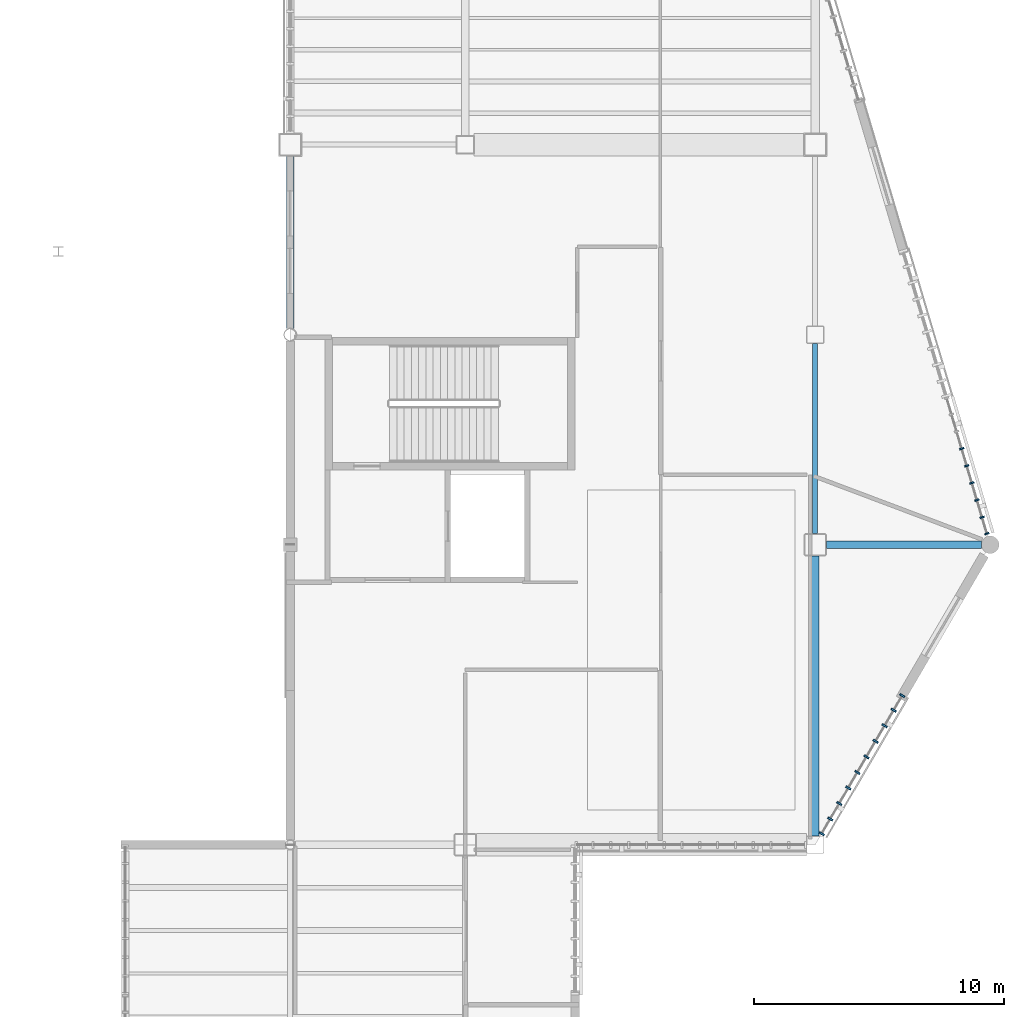
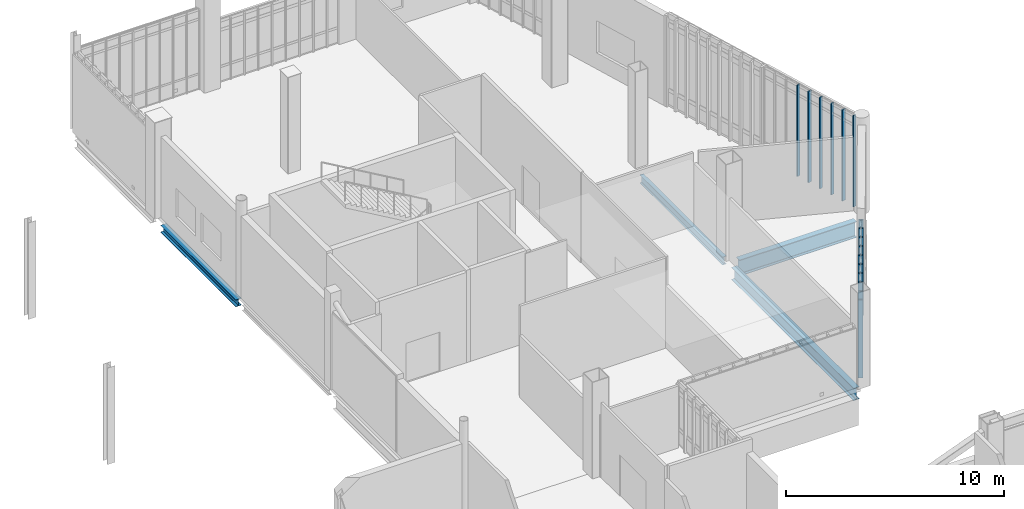
# One storey, part 41 of 127: 16 members, 4 beams, 2 elements without a shape of their own.
"""IFC4 building model written with IfcOpenShell, lengths in metres."""

from ifc_helpers import new_model, si_unit, direction, frame, origin, origin_2d, place, context, subcontext, project, spatial, rectangle, i_section, extrude, material, material_profile, profile_set, type_object, element, aggregate, save


model = new_model("IFC4")

# Units and contexts
model_context = context("Model", 3, precision=1e-05, world=origin(), true_north=direction((0.0, 1.0)))
body_context = subcontext(model_context, "Body", "Model", "MODEL_VIEW")
ifc_project = project(units=[si_unit("LENGTHUNIT", "METRE"), si_unit("AREAUNIT", "SQUARE_METRE"), si_unit("VOLUMEUNIT", "CUBIC_METRE"), si_unit("PLANEANGLEUNIT", "RADIAN"), si_unit("MASSUNIT", "GRAM", prefix="KILO")], contexts=[model_context])

# Site, building, storey
site_placement = place(None, origin())
site = spatial("IfcSite", under=ifc_project, at=site_placement, CompositionType="ELEMENT")
building_placement = place(site_placement, origin())
building = spatial("IfcBuilding", under=site, at=building_placement, Name="Larkvane Passage Sports Hall", CompositionType="ELEMENT")
storey_placement = place(building_placement, frame((0.0, 0.0, 5.39990234375)))
storey = spatial("IfcBuildingStorey", under=building, at=storey_placement, Name="L01", CompositionType="ELEMENT", Elevation=5.39990234375)

# Beams
ifc_material_1 = material(Name="Steel S355JR", Category="steel")
ifc_material_profile_1 = material_profile(ifc_material_1, i_section(OverallWidth=0.300048828125, OverallDepth=0.389892578125, WebThickness=0.010009765625, FlangeThickness=0.01611328125, FilletRadius=0.01806640625, at=origin_2d()), Name="H-390x300x10x16")
ifc_profile_set_1 = profile_set([ifc_material_profile_1], Name="Steel S355JR")
beam_type_1 = type_object("IfcBeamType", Name="BM-STL-H390", PredefinedType="BEAM", material=ifc_profile_set_1)
beam_1_placement = place(storey_placement, frame((124.60009765625, 84.25390625, -0.614990234375), z_axis=(0.0, 1.0, 0.0), x_axis=(-1.0, 0.0, 0.0)))
element("IfcBeam", 1, at=beam_1_placement, inside=storey, type_object=beam_type_1, Name="Girder BM5-Y-L01-17-0496", PredefinedType="BEAM", context=body_context, shape_type="SweptSolid", body=[
    extrude(i_section(OverallWidth=0.300048828125, OverallDepth=0.389892578125, WebThickness=0.010009765625, FlangeThickness=0.01611328125, FilletRadius=0.01806640625, at=origin_2d()), origin(), (0.0, 0.0, 1.0), 6.89599609375),
])
ifc_material_2 = material(Name="Steel S460N", Category="steel")
ifc_material_profile_2 = material_profile(ifc_material_2, i_section(OverallWidth=0.300048828125, OverallDepth=0.69189453125, WebThickness=0.012939453125, FlangeThickness=0.02001953125, FilletRadius=0.02197265625, at=origin_2d()), Name="H-692x300x13x20")
ifc_profile_set_2 = profile_set([ifc_material_profile_2], Name="Steel S460N")
beam_type_2 = type_object("IfcBeamType", Name="BM-STL-H692", PredefinedType="BEAM", material=ifc_profile_set_2)
beam_2_placement = place(storey_placement, frame((145.60009765625, 63.949951171875, -0.765869140625), z_axis=(0.0, 1.0, 0.0), x_axis=(-1.0, 0.0, 0.0)))
element("IfcBeam", 2, at=beam_2_placement, inside=storey, type_object=beam_type_2, Name="Girder BM5-Y-L01-19-0506", PredefinedType="BEAM", context=body_context, shape_type="SweptSolid", body=[
    extrude(i_section(OverallWidth=0.300048828125, OverallDepth=0.69189453125, WebThickness=0.012939453125, FlangeThickness=0.02001953125, FilletRadius=0.02197265625, at=origin_2d()), origin(), (0.0, 0.0, 1.0), 11.199951171875),
])
ifc_material_profile_3 = material_profile(ifc_material_2, i_section(OverallWidth=0.300048828125, OverallDepth=0.89990234375, WebThickness=0.01611328125, FlangeThickness=0.028076171875, FilletRadius=0.02197265625, at=origin_2d()), Name="H-900x300x16x28")
ifc_profile_set_3 = profile_set([ifc_material_profile_3], Name="Steel S460N")
beam_type_3 = type_object("IfcBeamType", Name="BM-STL-H900", PredefinedType="BEAM", material=ifc_profile_set_3)
beam_3_placement = place(storey_placement, frame((146.050048828125, 75.60009765625, -0.869873046875), z_axis=(1.0, 0.0, 0.0), x_axis=(0.0, 1.0, 0.0)))
element("IfcBeam", 3, at=beam_3_placement, inside=storey, type_object=beam_type_3, Name="Girder BM5-X-L01-J-0429", PredefinedType="BEAM", context=body_context, shape_type="SweptSolid", body=[
    extrude(i_section(OverallWidth=0.300048828125, OverallDepth=0.89990234375, WebThickness=0.01611328125, FlangeThickness=0.028076171875, FilletRadius=0.02197265625, at=origin_2d()), origin(), (0.0, 0.0, 1.0), 6.199951171875),
])

# Curtain wall, members
ifc_material_3 = material(Name="Thermally broken aluminium and low-E glazing", Category="aluminium")
curtain_wall_type_1 = type_object("IfcCurtainWallType", Name="CW-UNIT-COURT", PredefinedType="USERDEFINED", material=ifc_material_3)
curtain_wall_1_placement = place(storey_placement, origin())
curtain_wall_1 = element("IfcCurtainWall", 4, at=curtain_wall_1_placement, inside=storey, type_object=curtain_wall_type_1, Name="Curtain wall CW5-L01-056", ObjectType="UNITISED CURTAIN WALL", PredefinedType="USERDEFINED")
ifc_material_4 = material(Name="Anodised aluminium 6063-T6", Category="aluminium")
ifc_material_profile_4 = material_profile(ifc_material_4, rectangle(XDim=0.06494140625, YDim=0.179931640625, at=origin_2d()), Name="ALU-MUL-65x180")
ifc_profile_set_4 = profile_set([ifc_material_profile_4], Name="Anodised aluminium 6063-T6")
member_type_1 = type_object("IfcMemberType", Name="CW-MUL-65x180", PredefinedType="MULLION", material=ifc_profile_set_4)
member_1_placement = place(storey_placement, frame((151.460205078125, 79.4423828125, 0.0), z_axis=(0.0, 0.0, 1.0), x_axis=(0.28436317806, -0.958716633299, 0.0)))
member_1 = element("IfcMember", 5, at=member_1_placement, type_object=member_type_1, Name="CW-01 mullion 4", PredefinedType="MULLION", context=body_context, shape_type="SweptSolid", body=[
    extrude(rectangle(XDim=0.06494140625, YDim=0.179931640625, at=origin_2d()), origin(), (0.0, 0.0, 1.0), 5.10009765625),
])
member_2_placement = place(storey_placement, frame((151.663818359375, 78.756591796875, 0.0), z_axis=(0.0, 0.0, 1.0), x_axis=(0.28436317806, -0.958716633299, 0.0)))
member_2 = element("IfcMember", 6, at=member_2_placement, type_object=member_type_1, Name="CW-01 mullion 5", PredefinedType="MULLION", context=body_context, shape_type="SweptSolid", body=[
    extrude(rectangle(XDim=0.06494140625, YDim=0.179931640625, at=origin_2d()), origin(), (0.0, 0.0, 1.0), 5.10009765625),
])
member_3_placement = place(storey_placement, frame((151.8671875, 78.07080078125, 0.0), z_axis=(0.0, 0.0, 1.0), x_axis=(0.28436317806, -0.958716633299, 0.0)))
member_3 = element("IfcMember", 7, at=member_3_placement, type_object=member_type_1, Name="CW-01 mullion 6", PredefinedType="MULLION", context=body_context, shape_type="SweptSolid", body=[
    extrude(rectangle(XDim=0.06494140625, YDim=0.179931640625, at=origin_2d()), origin(), (0.0, 0.0, 1.0), 5.10009765625),
])
member_4_placement = place(storey_placement, frame((152.070556640625, 77.385009765625, 0.0), z_axis=(0.0, 0.0, 1.0), x_axis=(0.28436317806, -0.958716633299, 0.0)))
member_4 = element("IfcMember", 8, at=member_4_placement, type_object=member_type_1, Name="CW-01 mullion 7", PredefinedType="MULLION", context=body_context, shape_type="SweptSolid", body=[
    extrude(rectangle(XDim=0.06494140625, YDim=0.179931640625, at=origin_2d()), origin(), (0.0, 0.0, 1.0), 5.10009765625),
])
member_5_placement = place(storey_placement, frame((152.27392578125, 76.69921875, 0.0), z_axis=(0.0, 0.0, 1.0), x_axis=(0.28436317806, -0.958716633299, 0.0)))
member_5 = element("IfcMember", 9, at=member_5_placement, type_object=member_type_1, Name="CW-01 mullion 8", PredefinedType="MULLION", context=body_context, shape_type="SweptSolid", body=[
    extrude(rectangle(XDim=0.06494140625, YDim=0.179931640625, at=origin_2d()), origin(), (0.0, 0.0, 1.0), 5.10009765625),
])
member_6_placement = place(storey_placement, frame((152.46826171875, 76.04443359375, 0.0), z_axis=(0.0, 0.0, 1.0), x_axis=(0.28436317806, -0.958716633299, 0.0)))
member_6 = element("IfcMember", 10, at=member_6_placement, type_object=member_type_1, Name="CW-01 mullion 9", PredefinedType="MULLION", context=body_context, shape_type="SweptSolid", body=[
    extrude(rectangle(XDim=0.06494140625, YDim=0.179931640625, at=origin_2d()), origin(), (0.0, 0.0, 1.0), 5.10009765625),
])
aggregate(curtain_wall_1, [member_1, member_2, member_3, member_4, member_5, member_6])

curtain_wall_type_2 = type_object("IfcCurtainWallType", Name="CW-UNIT-VEIL", PredefinedType="USERDEFINED", material=ifc_material_3)
curtain_wall_2_placement = place(storey_placement, origin())
curtain_wall_2 = element("IfcCurtainWall", 11, at=curtain_wall_2_placement, inside=storey, type_object=curtain_wall_type_2, Name="Curtain wall CW5-L01-057", ObjectType="UNITISED CURTAIN WALL", PredefinedType="USERDEFINED")
ifc_material_profile_5 = material_profile(ifc_material_4, rectangle(XDim=0.074951171875, YDim=0.22509765625, at=origin_2d()), Name="ALU-MUL-75x225")
ifc_profile_set_5 = profile_set([ifc_material_profile_5], Name="Anodised aluminium 6063-T6")
member_type_2 = type_object("IfcMemberType", Name="CW-MUL-75x225", PredefinedType="MULLION", material=ifc_profile_set_5)
member_7_placement = place(storey_placement, frame((149.0810546875, 69.567626953125, 0.0), z_axis=(0.0, 0.0, 1.0), x_axis=(-0.503867182467, -0.86378114267, 0.0)))
member_7 = element("IfcMember", 12, at=member_7_placement, type_object=member_type_2, Name="CW-02 mullion 1", PredefinedType="MULLION", context=body_context, shape_type="SweptSolid", body=[
    extrude(rectangle(XDim=0.074951171875, YDim=0.22509765625, at=origin_2d()), origin(), (0.0, 0.0, 1.0), 4.3681640625),
])
member_8_placement = place(storey_placement, frame((148.73779296875, 68.97900390625, 0.0), z_axis=(0.0, 0.0, 1.0), x_axis=(-0.503867182467, -0.86378114267, 0.0)))
member_8 = element("IfcMember", 13, at=member_8_placement, type_object=member_type_2, Name="CW-02 mullion 2", PredefinedType="MULLION", context=body_context, shape_type="SweptSolid", body=[
    extrude(rectangle(XDim=0.074951171875, YDim=0.22509765625, at=origin_2d()), origin(), (0.0, 0.0, 1.0), 4.3681640625),
])
member_9_placement = place(storey_placement, frame((148.37548828125, 68.357666015625, 0.0), z_axis=(0.0, 0.0, 1.0), x_axis=(-0.503867182467, -0.86378114267, 0.0)))
member_9 = element("IfcMember", 14, at=member_9_placement, type_object=member_type_2, Name="CW-02 mullion 3", PredefinedType="MULLION", context=body_context, shape_type="SweptSolid", body=[
    extrude(rectangle(XDim=0.074951171875, YDim=0.22509765625, at=origin_2d()), origin(), (0.0, 0.0, 1.0), 4.3681640625),
])
member_10_placement = place(storey_placement, frame((148.01318359375, 67.736572265625, 0.0), z_axis=(0.0, 0.0, 1.0), x_axis=(-0.503867182467, -0.86378114267, 0.0)))
member_10 = element("IfcMember", 15, at=member_10_placement, type_object=member_type_2, Name="CW-02 mullion 4", PredefinedType="MULLION", context=body_context, shape_type="SweptSolid", body=[
    extrude(rectangle(XDim=0.074951171875, YDim=0.22509765625, at=origin_2d()), origin(), (0.0, 0.0, 1.0), 4.3681640625),
])
member_11_placement = place(storey_placement, frame((147.650634765625, 67.115478515625, 0.0), z_axis=(0.0, 0.0, 1.0), x_axis=(-0.503867182467, -0.86378114267, 0.0)))
member_11 = element("IfcMember", 16, at=member_11_placement, type_object=member_type_2, Name="CW-02 mullion 5", PredefinedType="MULLION", context=body_context, shape_type="SweptSolid", body=[
    extrude(rectangle(XDim=0.074951171875, YDim=0.22509765625, at=origin_2d()), origin(), (0.0, 0.0, 1.0), 4.3681640625),
])
member_12_placement = place(storey_placement, frame((147.288330078125, 66.494384765625, 0.0), z_axis=(0.0, 0.0, 1.0), x_axis=(-0.503867182467, -0.86378114267, 0.0)))
member_12 = element("IfcMember", 17, at=member_12_placement, type_object=member_type_2, Name="CW-02 mullion 6", PredefinedType="MULLION", context=body_context, shape_type="SweptSolid", body=[
    extrude(rectangle(XDim=0.074951171875, YDim=0.22509765625, at=origin_2d()), origin(), (0.0, 0.0, 1.0), 4.3681640625),
])
member_13_placement = place(storey_placement, frame((146.926025390625, 65.873291015625, 0.0), z_axis=(0.0, 0.0, 1.0), x_axis=(-0.503867182467, -0.86378114267, 0.0)))
member_13 = element("IfcMember", 18, at=member_13_placement, type_object=member_type_2, Name="CW-02 mullion 7", PredefinedType="MULLION", context=body_context, shape_type="SweptSolid", body=[
    extrude(rectangle(XDim=0.074951171875, YDim=0.22509765625, at=origin_2d()), origin(), (0.0, 0.0, 1.0), 4.3681640625),
])
member_14_placement = place(storey_placement, frame((146.563720703125, 65.252197265625, 0.0), z_axis=(0.0, 0.0, 1.0), x_axis=(-0.503867182467, -0.86378114267, 0.0)))
member_14 = element("IfcMember", 19, at=member_14_placement, type_object=member_type_2, Name="CW-02 mullion 8", PredefinedType="MULLION", context=body_context, shape_type="SweptSolid", body=[
    extrude(rectangle(XDim=0.074951171875, YDim=0.22509765625, at=origin_2d()), origin(), (0.0, 0.0, 1.0), 4.3681640625),
])
member_15_placement = place(storey_placement, frame((146.201416015625, 64.631103515625, 0.0), z_axis=(0.0, 0.0, 1.0), x_axis=(-0.503867182467, -0.86378114267, 0.0)))
member_15 = element("IfcMember", 20, at=member_15_placement, type_object=member_type_2, Name="CW-02 mullion 9", PredefinedType="MULLION", context=body_context, shape_type="SweptSolid", body=[
    extrude(rectangle(XDim=0.074951171875, YDim=0.22509765625, at=origin_2d()), origin(), (0.0, 0.0, 1.0), 4.3681640625),
])
member_16_placement = place(storey_placement, frame((145.858154296875, 64.04248046875, 0.0), z_axis=(0.0, 0.0, 1.0), x_axis=(-0.503867182467, -0.86378114267, 0.0)))
member_16 = element("IfcMember", 21, at=member_16_placement, type_object=member_type_2, Name="CW-02 mullion 10", PredefinedType="MULLION", context=body_context, shape_type="SweptSolid", body=[
    extrude(rectangle(XDim=0.074951171875, YDim=0.22509765625, at=origin_2d()), origin(), (0.0, 0.0, 1.0), 4.3681640625),
])
aggregate(curtain_wall_2, [member_7, member_8, member_9, member_10, member_11, member_12, member_13, member_14, member_15, member_16])

# Beam
ifc_material_profile_6 = material_profile(ifc_material_1, i_section(OverallWidth=0.199951171875, OverallDepth=0.449951171875, WebThickness=0.009033203125, FlangeThickness=0.013916015625, FilletRadius=0.01806640625, at=origin_2d()), Name="H-450x200x9x14")
ifc_profile_set_6 = profile_set([ifc_material_profile_6], Name="Steel S355JR")
beam_type_4 = type_object("IfcBeamType", Name="SP-STL-H450", PredefinedType="SPANDREL", material=ifc_profile_set_6)
beam_4_placement = place(storey_placement, frame((145.60009765625, 76.050048828125, -0.64501953125), z_axis=(0.0, 1.0, 0.0), x_axis=(-1.0, 0.0, 0.0)))
element("IfcBeam", 22, at=beam_4_placement, inside=storey, type_object=beam_type_4, Name="Girder BM5-Y-L01-19-0507", PredefinedType="SPANDREL", context=body_context, shape_type="SweptSolid", body=[
    extrude(i_section(OverallWidth=0.199951171875, OverallDepth=0.449951171875, WebThickness=0.009033203125, FlangeThickness=0.013916015625, FilletRadius=0.01806640625, at=origin_2d()), origin(), (0.0, 0.0, 1.0), 7.599853515625),
])

save(model, "model.ifc")
